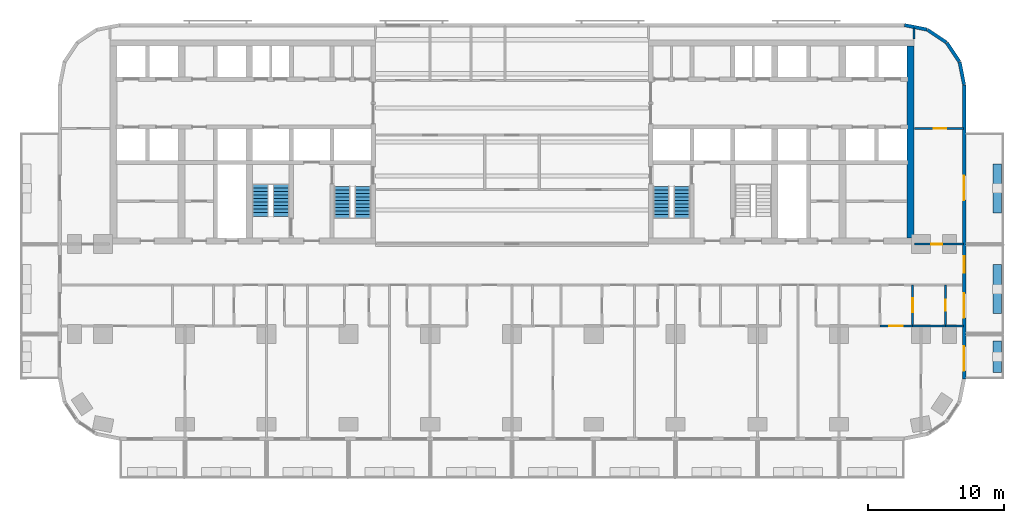
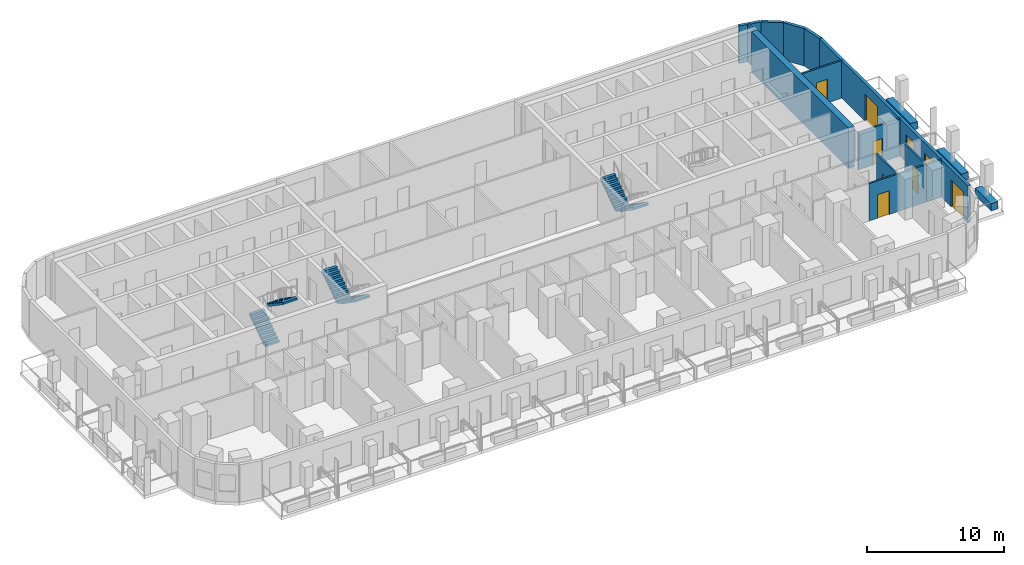
# One storey, part 9 of 15: 17 walls, 8 doors, 6 stair flights, 1 window, 9 openings, 3 elements without a shape of their own.
"""IFC4 building model written with IfcOpenShell, lengths in metres."""

from ifc_helpers import new_model, si_unit, direction, frame, frame_2d, origin, place, context, subcontext, project, spatial, polyline, rectangle, outline, extrude, material, layer, layer_set, type_object, element, fill, aggregate, save


model = new_model("IFC4")

# Units and contexts
model_context = context("Model", 3, precision=1e-05, world=origin(), true_north=direction((0.0, 1.0)))
body_context = subcontext(model_context, "Body", "Model", "MODEL_VIEW")
ifc_project = project(units=[si_unit("LENGTHUNIT", "METRE"), si_unit("AREAUNIT", "SQUARE_METRE"), si_unit("VOLUMEUNIT", "CUBIC_METRE"), si_unit("PLANEANGLEUNIT", "RADIAN"), si_unit("MASSUNIT", "GRAM", prefix="KILO")], contexts=[model_context])

# Site, building, storey
site_placement = place(None, origin())
site = spatial("IfcSite", under=ifc_project, at=site_placement, CompositionType="ELEMENT")
building_placement = place(site_placement, origin())
building = spatial("IfcBuilding", under=site, at=building_placement, Name="Torana Hotel and Residences", CompositionType="ELEMENT")
storey_placement = place(building_placement, frame((0.0, 0.0, 70.800048828125)))
storey = spatial("IfcBuildingStorey", under=building, at=storey_placement, Name="L17", CompositionType="ELEMENT", Elevation=70.800048828125)

# Walls
ifc_material_1 = material(Name="Concrete C80/95", Category="concrete")
ifc_layer_1 = layer(ifc_material_1, 0.5)
ifc_layer_set_1 = layer_set([ifc_layer_1], Name="CORE WALL 500 C80/95")
wall_type_1 = type_object("IfcWallType", Name="CORE WALL 500 C80/95", PredefinedType="SHEAR", material=ifc_layer_set_1)
wall_1_placement = place(storey_placement, frame((29.25, -14.550048828125, 0.0), z_axis=(0.0, 0.0, 1.0), x_axis=(0.0, 1.0, 0.0)))
element("IfcWall", 1, at=wall_1_placement, inside=storey, type_object=wall_type_1, Name="Core wall E outer", PredefinedType="SHEAR", context=body_context, shape_type="SweptSolid", body=[
    extrude(rectangle(XDim=14.10009765625, YDim=0.5, at=frame_2d((7.050048828125, 0.0))), origin(), (0.0, 0.0, 1.0), 3.599853515625),
])
ifc_material_2 = material(Name="Black aluminium composite panel", Category="aluminium")
ifc_layer_2 = layer(ifc_material_2, 0.00390625, Name="Cladding", Category="cladding")
ifc_material_3 = material(Name="Ventilated air cavity")
ifc_layer_3 = layer(ifc_material_3, 0.0400390625, Name="Ventilated cavity", Category="cavity")
ifc_material_4 = material(Name="Mineral wool insulation")
ifc_layer_4 = layer(ifc_material_4, 0.090087890625, Name="Insulation", Category="insulation")
ifc_material_5 = material(Name="Steel S280GD", Category="steel")
ifc_layer_5 = layer(ifc_material_5, 0.092041015625, Name="Steel stud frame", Category="structure")
ifc_material_6 = material(Name="Fire rated plasterboard")
ifc_layer_6 = layer(ifc_material_6, 0.011962890625, Name="Inner board", Category="finish")
ifc_layer_7 = layer(ifc_material_6, 0.011962890625, Name="Second board", Category="finish")
ifc_layer_set_2 = layer_set([ifc_layer_2, ifc_layer_3, ifc_layer_4, ifc_layer_5, ifc_layer_6, ifc_layer_7], Name="EW1 EXTERNAL WALL BLACK METAL CLAD 250")
wall_type_2 = type_object("IfcWallType", Name="EW1 EXTERNAL WALL BLACK METAL CLAD 250", PredefinedType="SOLIDWALL", material=ifc_layer_set_2)
wall_2_placement = place(storey_placement, frame((33.172607421875, -3.30029296875, 0.0), z_axis=(0.0, 0.0, 1.0), x_axis=(-0.19513878023, 0.980775640221, 0.0)))
element("IfcWall", 2, at=wall_2_placement, inside=storey, type_object=wall_type_2, Name="External wall L17 e0.0", PredefinedType="SOLIDWALL", context=body_context, shape_type="SweptSolid", body=[
    extrude(rectangle(XDim=1.681396484375, YDim=0.25, at=frame_2d((0.8408203125, 0.0))), origin(), (0.0, 0.0, 1.0), 3.320068359375),
])
for number, where, z_axis, x_axis, name in (
    (3, (32.825927734375, -1.60595703125, 0.0), (0.0, 0.0, 1.0), (-0.55555029066, 0.831482937015, 0.0), "External wall L17 e0.1"),
    (4, (31.87109375, -0.1943359375, 0.0), (0.0, 0.0, 1.0), (-0.831482937015, 0.55555029066, 0.0), "External wall L17 e0.2"),
):
    element("IfcWall", number, at=place(storey_placement, frame(where, z_axis=z_axis, x_axis=x_axis)), inside=storey, type_object=wall_type_2, Name=name, PredefinedType="SOLIDWALL", context=body_context, shape_type="SweptSolid", body=[
        extrude(rectangle(XDim=1.65625, YDim=0.25, at=frame_2d((0.828125, 0.0))), origin(), (0.0, 0.0, 1.0), 3.320068359375),
    ])
wall_3_placement = place(storey_placement, frame((30.448974609375, 0.74462890625, 0.0), z_axis=(0.0, 0.0, 1.0), x_axis=(-0.980803419081, 0.194999110559, 0.0)))
element("IfcWall", 5, at=wall_3_placement, inside=storey, type_object=wall_type_2, Name="External wall L17 e0.3", PredefinedType="SOLIDWALL", context=body_context, shape_type="SweptSolid", body=[
    extrude(rectangle(XDim=1.681396484375, YDim=0.25, at=frame_2d((0.8408203125, 0.0))), origin(), (0.0, 0.0, 1.0), 3.320068359375),
])

# Wall, openings, doors, window
wall_4_placement = place(storey_placement, frame((33.175048828125, -24.87548828125, 0.0), z_axis=(0.0, 0.0, 1.0), x_axis=(0.0, 1.0, 0.0)))
wall_4 = element("IfcWall", 6, at=wall_4_placement, inside=storey, type_object=wall_type_2, Name="External wall L17 e0.19", PredefinedType="SOLIDWALL", context=body_context, shape_type="SweptSolid", body=[
    extrude(rectangle(XDim=21.55078125, YDim=0.25, at=frame_2d((10.775390625, 0.0))), origin(), (0.0, 0.0, 1.0), 3.320068359375),
])
opening_1_placement = place(wall_4_placement, frame((0.575439453125, 0.0, 0.0)))
opening_1 = element("IfcOpeningElement", 7, at=opening_1_placement, cuts=wall_4, Name="Opening L17-E11", PredefinedType="OPENING", context=body_context, shape_type="SweptSolid", body=[
    extrude(rectangle(XDim=1.800048828125, YDim=2.39990234375, at=frame_2d((0.89990234375, 1.199951171875))), frame((0.0, 0.135009765625, 0.0), z_axis=(0.0, -1.0, 0.0), x_axis=(1.0, 0.0, 0.0)), (0.0, 0.0, 1.0), 0.27001953125),
])
opening_2_placement = place(wall_4_placement, frame((4.475341796875, 0.0, 0.0)))
opening_2 = element("IfcOpeningElement", 8, at=opening_2_placement, cuts=wall_4, Name="Opening L17-E12", PredefinedType="OPENING", context=body_context, shape_type="SweptSolid", body=[
    extrude(rectangle(XDim=1.800048828125, YDim=2.39990234375, at=frame_2d((0.89990234375, 1.199951171875))), frame((0.0, 0.135009765625, 0.0), z_axis=(0.0, -1.0, 0.0), x_axis=(1.0, 0.0, 0.0)), (0.0, 0.0, 1.0), 0.27001953125),
])
opening_3_placement = place(wall_4_placement, frame((7.775390625, 0.0, 0.300048828125)))
opening_3 = element("IfcOpeningElement", 9, at=opening_3_placement, cuts=wall_4, Name="Opening W7", PredefinedType="OPENING", context=body_context, shape_type="SweptSolid", body=[
    extrude(rectangle(XDim=1.199951171875, YDim=2.10009765625, at=frame_2d((0.60009765625, 1.050048828125))), frame((0.0, 0.135009765625, 0.0), z_axis=(0.0, -1.0, 0.0), x_axis=(1.0, 0.0, 0.0)), (0.0, 0.0, 1.0), 0.27001953125),
])
opening_4_placement = place(wall_4_placement, frame((13.100341796875, 0.0, 0.0)))
opening_4 = element("IfcOpeningElement", 10, at=opening_4_placement, cuts=wall_4, Name="Opening L17-E13", PredefinedType="OPENING", context=body_context, shape_type="SweptSolid", body=[
    extrude(rectangle(XDim=1.800048828125, YDim=2.39990234375, at=frame_2d((0.89990234375, 1.199951171875))), frame((0.0, 0.135009765625, 0.0), z_axis=(0.0, -1.0, 0.0), x_axis=(1.0, 0.0, 0.0)), (0.0, 0.0, 1.0), 0.27001953125),
])
ifc_material_7 = material(Name="Dark glass in black aluminium frame", Category="aluminium")
door_type_1 = type_object("IfcDoorType", Name="DB1 BALCONY DOOR 1800x2400", OperationType="DOUBLE_DOOR_SINGLE_SWING", PredefinedType="DOOR", material=ifc_material_7)
door_1_placement = place(opening_1_placement, origin())
door_1 = element("IfcDoor", 11, at=door_1_placement, inside=storey, type_object=door_type_1, Name="Balcony door L17", OperationType="DOUBLE_DOOR_SINGLE_SWING", OverallHeight=2.39990234375, OverallWidth=1.800048828125, PredefinedType="DOOR", context=body_context, shape_type="SweptSolid", body=[
    extrude(rectangle(XDim=1.800048828125, YDim=2.39990234375, at=frame_2d((0.89990234375, 1.199951171875))), frame((0.0, 0.02490234375, 0.0), z_axis=(0.0, -1.0, 0.0), x_axis=(1.0, 0.0, 0.0)), (0.0, 0.0, 1.0), 0.050048828125),
])
fill(opening_1, door_1)
door_2_placement = place(opening_2_placement, origin())
door_2 = element("IfcDoor", 12, at=door_2_placement, inside=storey, type_object=door_type_1, Name="Balcony door L17", OperationType="DOUBLE_DOOR_SINGLE_SWING", OverallHeight=2.39990234375, OverallWidth=1.800048828125, PredefinedType="DOOR", context=body_context, shape_type="SweptSolid", body=[
    extrude(rectangle(XDim=1.800048828125, YDim=2.39990234375, at=frame_2d((0.89990234375, 1.199951171875))), frame((0.0, 0.02490234375, 0.0), z_axis=(0.0, -1.0, 0.0), x_axis=(1.0, 0.0, 0.0)), (0.0, 0.0, 1.0), 0.050048828125),
])
fill(opening_2, door_2)
door_3_placement = place(opening_4_placement, origin())
door_3 = element("IfcDoor", 13, at=door_3_placement, inside=storey, type_object=door_type_1, Name="Balcony door L17", OperationType="DOUBLE_DOOR_SINGLE_SWING", OverallHeight=2.39990234375, OverallWidth=1.800048828125, PredefinedType="DOOR", context=body_context, shape_type="SweptSolid", body=[
    extrude(rectangle(XDim=1.800048828125, YDim=2.39990234375, at=frame_2d((0.89990234375, 1.199951171875))), frame((0.0, 0.02490234375, 0.0), z_axis=(0.0, -1.0, 0.0), x_axis=(1.0, 0.0, 0.0)), (0.0, 0.0, 1.0), 0.050048828125),
])
fill(opening_4, door_3)
ifc_material_8 = material(Name="Dark glass in black aluminium frame", Category="aluminium")
window_type = type_object("IfcWindowType", Name="W7 HOTEL CORRIDOR WINDOW 1200x2100", PartitioningType="SINGLE_PANEL", PredefinedType="WINDOW", material=ifc_material_8)
window_placement = place(opening_3_placement, origin())
window = element("IfcWindow", 14, at=window_placement, inside=storey, type_object=window_type, Name="Window L17", OverallHeight=2.10009765625, OverallWidth=1.199951171875, PartitioningType="SINGLE_PANEL", PredefinedType="WINDOW", context=body_context, shape_type="SweptSolid", body=[
    extrude(rectangle(XDim=1.199951171875, YDim=2.10009765625, at=frame_2d((0.60009765625, 1.050048828125))), frame((0.0, 0.030029296875, 0.0), z_axis=(0.0, -1.0, 0.0), x_axis=(1.0, 0.0, 0.0)), (0.0, 0.0, 1.0), 0.06005859375),
])
fill(opening_3, window)

# Wall, opening, door
ifc_material_9 = material(Name="Gypsum plaster")
ifc_layer_8 = layer(ifc_material_9, 0.014892578125, Name="Plaster", Category="finish")
ifc_material_10 = material(Name="Concrete blockwork", Category="masonry")
ifc_layer_9 = layer(ifc_material_10, 0.1201171875, Name="Blockwork", Category="structure")
ifc_layer_10 = layer(ifc_material_9, 0.014892578125, Name="Plaster", Category="finish")
ifc_layer_set_3 = layer_set([ifc_layer_8, ifc_layer_9, ifc_layer_10], Name="FIRE PARTITION 150 BLOCKWORK")
wall_type_3 = type_object("IfcWallType", Name="FIRE PARTITION 150 BLOCKWORK", PredefinedType="PARTITIONING", material=ifc_layer_set_3)
wall_5_placement = place(storey_placement, frame((29.39990234375, -21.0, 0.0), z_axis=(0.0, 0.0, 1.0), x_axis=(0.0, 1.0, 0.0)))
wall_5 = element("IfcWall", 15, at=wall_5_placement, inside=storey, type_object=wall_type_3, Name="Partition L17", PredefinedType="PARTITIONING", context=body_context, shape_type="SweptSolid", body=[
    extrude(rectangle(XDim=3.0, YDim=0.14990234375, at=frame_2d((1.5, 0.0))), origin(), (0.0, 0.0, 1.0), 3.320068359375),
])
opening_5_placement = place(wall_5_placement, frame((1.02001953125, 0.0, 0.0)))
opening_5 = element("IfcOpeningElement", 16, at=opening_5_placement, cuts=wall_5, Name="Opening L17-82", PredefinedType="OPENING", context=body_context, shape_type="SweptSolid", body=[
    extrude(rectangle(XDim=1.0, YDim=2.10009765625, at=frame_2d((0.5, 1.050048828125))), frame((0.0, 0.0849609375, 0.0), z_axis=(0.0, -1.0, 0.0), x_axis=(1.0, 0.0, 0.0)), (0.0, 0.0, 1.0), 0.169921875),
])
ifc_material_11 = material(Name="Steel S235", Category="steel")
door_type_2 = type_object("IfcDoorType", Name="ENTRY FIRE DOOR D6 1000x2100", OperationType="SINGLE_SWING_LEFT", PredefinedType="DOOR", material=ifc_material_11)
door_4_placement = place(opening_5_placement, frame((0.5, 0.0, 0.0), z_axis=(0.0, 0.0, 1.0), x_axis=(-1.0, 0.0, 0.0)))
door_4 = element("IfcDoor", 17, at=door_4_placement, inside=storey, type_object=door_type_2, Name="Door L17", OperationType="SINGLE_SWING_LEFT", OverallHeight=2.10009765625, OverallWidth=1.0, PredefinedType="DOOR", context=body_context, shape_type="SweptSolid", body=[
    extrude(rectangle(XDim=1.0, YDim=2.10009765625, at=frame_2d((0.0, 1.050048828125))), frame((0.0, -0.02490234375, 0.0), z_axis=(0.0, 1.0, 0.0), x_axis=(-1.0, 0.0, 0.0)), (0.0, 0.0, 1.0), 0.050048828125),
])
fill(opening_5, door_4)

wall_6_placement = place(storey_placement, frame((27.0, -21.0, 0.0), z_axis=(0.0, 0.0, 1.0), x_axis=(1.0, 0.0, 0.0)))
wall_6 = element("IfcWall", 18, at=wall_6_placement, inside=storey, type_object=wall_type_3, Name="Partition L17", PredefinedType="PARTITIONING", context=body_context, shape_type="SweptSolid", body=[
    extrude(rectangle(XDim=2.39990234375, YDim=0.14990234375, at=frame_2d((1.199951171875, 0.0))), origin(), (0.0, 0.0, 1.0), 3.320068359375),
])
opening_6_placement = place(wall_6_placement, frame((0.679931640625, 0.0, 0.0)))
opening_6 = element("IfcOpeningElement", 19, at=opening_6_placement, cuts=wall_6, Name="Opening L17-83", PredefinedType="OPENING", context=body_context, shape_type="SweptSolid", body=[
    extrude(rectangle(XDim=1.0, YDim=2.10009765625, at=frame_2d((0.5, 1.050048828125))), frame((0.0, 0.0849609375, 0.0), z_axis=(0.0, -1.0, 0.0), x_axis=(1.0, 0.0, 0.0)), (0.0, 0.0, 1.0), 0.169921875),
])
door_5_placement = place(opening_6_placement, frame((0.5, 0.0, 0.0), z_axis=(0.0, 0.0, 1.0), x_axis=(-1.0, 0.0, 0.0)))
door_5 = element("IfcDoor", 20, at=door_5_placement, inside=storey, type_object=door_type_2, Name="Door L17", OperationType="SINGLE_SWING_RIGHT", OverallHeight=2.10009765625, OverallWidth=1.0, PredefinedType="DOOR", context=body_context, shape_type="SweptSolid", body=[
    extrude(rectangle(XDim=1.0, YDim=2.10009765625, at=frame_2d((0.0, 1.050048828125))), frame((0.0, -0.02490234375, 0.0), z_axis=(0.0, 1.0, 0.0), x_axis=(-1.0, 0.0, 0.0)), (0.0, 0.0, 1.0), 0.050048828125),
])
fill(opening_6, door_5)

wall_7_placement = place(storey_placement, frame((29.550048828125, -15.0, 0.0), z_axis=(0.0, 0.0, 1.0), x_axis=(1.0, 0.0, 0.0)))
wall_7 = element("IfcWall", 21, at=wall_7_placement, inside=storey, type_object=wall_type_3, Name="Partition L17", PredefinedType="PARTITIONING", context=body_context, shape_type="SweptSolid", body=[
    extrude(rectangle(XDim=3.570068359375, YDim=0.14990234375, at=frame_2d((1.78515625, 0.0))), origin(), (0.0, 0.0, 1.0), 3.320068359375),
])
opening_7_placement = place(wall_7_placement, frame((1.205078125, 0.0, 0.0)))
opening_7 = element("IfcOpeningElement", 22, at=opening_7_placement, cuts=wall_7, Name="Opening L17-52", PredefinedType="OPENING", context=body_context, shape_type="SweptSolid", body=[
    extrude(rectangle(XDim=0.800048828125, YDim=2.10009765625, at=frame_2d((0.39990234375, 1.050048828125))), frame((0.0, 0.0849609375, 0.0), z_axis=(0.0, -1.0, 0.0), x_axis=(1.0, 0.0, 0.0)), (0.0, 0.0, 1.0), 0.169921875),
])
ifc_material_12 = material(Name="Steel S235", Category="steel")
door_type_3 = type_object("IfcDoorType", Name="STORE FIRE DOOR D16 800x2100", OperationType="SINGLE_SWING_LEFT", PredefinedType="DOOR", material=ifc_material_12)
door_6_placement = place(opening_7_placement, origin())
door_6 = element("IfcDoor", 23, at=door_6_placement, inside=storey, type_object=door_type_3, Name="Door L17", OperationType="SINGLE_SWING_RIGHT", OverallHeight=2.10009765625, OverallWidth=0.800048828125, PredefinedType="DOOR", context=body_context, shape_type="SweptSolid", body=[
    extrude(rectangle(XDim=0.800048828125, YDim=2.10009765625, at=frame_2d((0.39990234375, 1.050048828125))), frame((0.0, 0.02490234375, 0.0), z_axis=(0.0, -1.0, 0.0), x_axis=(1.0, 0.0, 0.0)), (0.0, 0.0, 1.0), 0.050048828125),
])
fill(opening_7, door_6)

# Walls
ifc_material_13 = material(Name="Gypsum plasterboard")
ifc_layer_11 = layer(ifc_material_13, 0.012451171875, Name="Plasterboard", Category="finish")
ifc_layer_12 = layer(ifc_material_13, 0.012451171875, Name="Plasterboard", Category="finish")
ifc_layer_13 = layer(ifc_material_5, 0.10009765625, Name="Steel studs with mineral wool", Category="insulation")
ifc_layer_14 = layer(ifc_material_13, 0.012451171875, Name="Plasterboard", Category="finish")
ifc_layer_15 = layer(ifc_material_13, 0.012451171875, Name="Plasterboard", Category="finish")
ifc_layer_set_4 = layer_set([ifc_layer_11, ifc_layer_12, ifc_layer_13, ifc_layer_14, ifc_layer_15], Name="PARTITION 150 PLASTERBOARD")
wall_type_4 = type_object("IfcWallType", Name="PARTITION 150 PLASTERBOARD", PredefinedType="PARTITIONING", material=ifc_layer_set_4)
wall_8_placement = place(storey_placement, frame((29.5, 0.050048828125, 0.0), z_axis=(0.0, 0.0, 1.0), x_axis=(0.0, 1.0, 0.0)))
element("IfcWall", 24, at=wall_8_placement, inside=storey, type_object=wall_type_4, Name="Partition L17", PredefinedType="PARTITIONING", context=body_context, shape_type="SweptSolid", body=[
    extrude(rectangle(XDim=0.8271484375, YDim=0.14990234375, at=frame_2d((0.41357421875, 0.0))), origin(), (0.0, 0.0, 1.0), 3.320068359375),
])
wall_9_placement = place(storey_placement, frame((29.39990234375, -21.0, 0.0), z_axis=(0.0, 0.0, 1.0), x_axis=(1.0, 0.0, 0.0)))
element("IfcWall", 25, at=wall_9_placement, inside=storey, type_object=wall_type_4, Name="Partition L17", PredefinedType="PARTITIONING", context=body_context, shape_type="SweptSolid", body=[
    extrude(rectangle(XDim=2.400146484375, YDim=0.14990234375, at=frame_2d((1.2001953125, 0.0))), origin(), (0.0, 0.0, 1.0), 3.320068359375),
])

# Wall, opening, door
wall_10_placement = place(storey_placement, frame((29.550048828125, -6.5, 0.0), z_axis=(0.0, 0.0, 1.0), x_axis=(1.0, 0.0, 0.0)))
wall_10 = element("IfcWall", 26, at=wall_10_placement, inside=storey, type_object=wall_type_4, Name="Partition L17", PredefinedType="PARTITIONING", context=body_context, shape_type="SweptSolid", body=[
    extrude(rectangle(XDim=3.570068359375, YDim=0.14990234375, at=frame_2d((1.78515625, 0.0))), origin(), (0.0, 0.0, 1.0), 3.320068359375),
])
opening_8_placement = place(wall_10_placement, frame((1.39990234375, 0.0, 0.0)))
opening_8 = element("IfcOpeningElement", 27, at=opening_8_placement, cuts=wall_10, Name="Opening L17-87", PredefinedType="OPENING", context=body_context, shape_type="SweptSolid", body=[
    extrude(rectangle(XDim=0.89990234375, YDim=2.10009765625, at=frame_2d((0.449951171875, 1.050048828125))), frame((0.0, 0.0849609375, 0.0), z_axis=(0.0, -1.0, 0.0), x_axis=(1.0, 0.0, 0.0)), (0.0, 0.0, 1.0), 0.169921875),
])
ifc_material_14 = material(Name="Timber door, oiled ash", Category="wood")
door_type_4 = type_object("IfcDoorType", Name="ROOM DOOR D7 900x2100", OperationType="SINGLE_SWING_LEFT", PredefinedType="DOOR", material=ifc_material_14)
door_7_placement = place(opening_8_placement, origin())
door_7 = element("IfcDoor", 28, at=door_7_placement, inside=storey, type_object=door_type_4, Name="Door L17", OperationType="SINGLE_SWING_LEFT", OverallHeight=2.10009765625, OverallWidth=0.89990234375, PredefinedType="DOOR", context=body_context, shape_type="SweptSolid", body=[
    extrude(rectangle(XDim=0.89990234375, YDim=2.10009765625, at=frame_2d((0.449951171875, 1.050048828125))), frame((0.0, 0.02490234375, 0.0), z_axis=(0.0, -1.0, 0.0), x_axis=(1.0, 0.0, 0.0)), (0.0, 0.0, 1.0), 0.050048828125),
])
fill(opening_8, door_7)

# Walls
ifc_material_15 = material(Name="Concrete C40/50 precast", Category="concrete")
ifc_layer_16 = layer(ifc_material_15, 0.10009765625, Name="Planter shell", Category="structure")
ifc_material_16 = material(Name="Root resistant membrane")
ifc_layer_17 = layer(ifc_material_16, 0.00390625, Name="Waterproofing membrane", Category="membrane")
ifc_material_17 = material(Name="Drainage board with filter fleece")
ifc_layer_18 = layer(ifc_material_17, 0.02001953125, Name="Drainage board", Category="drainage")
ifc_material_18 = material(Name="Growing medium")
ifc_layer_19 = layer(ifc_material_18, 0.47607421875, Name="Planting substrate", Category="soil")
ifc_layer_set_5 = layer_set([ifc_layer_16, ifc_layer_17, ifc_layer_18, ifc_layer_19], Name="PL1 BALCONY PLANTER 600")
wall_type_5 = type_object("IfcWallType", Name="PL1 BALCONY PLANTER 600", PredefinedType="USERDEFINED", material=ifc_layer_set_5)
wall_11_placement = place(storey_placement, frame((35.60009765625, -22.10009765625, 0.0), z_axis=(0.0, 0.0, 1.0), x_axis=(0.0, -1.0, 0.0)))
element("IfcWall", 29, at=wall_11_placement, inside=storey, type_object=wall_type_5, Name="Planter 14", ObjectType="PLANTER", PredefinedType="USERDEFINED", context=body_context, shape_type="SweptSolid", body=[
    extrude(rectangle(XDim=2.2998046875, YDim=0.60009765625, at=frame_2d((1.14990234375, 0.0))), origin(), (0.0, 0.0, 1.0), 0.64990234375),
])
wall_12_placement = place(storey_placement, frame((35.60009765625, -16.5, 0.0), z_axis=(0.0, 0.0, 1.0), x_axis=(0.0, -1.0, 0.0)))
element("IfcWall", 30, at=wall_12_placement, inside=storey, type_object=wall_type_5, Name="Planter 15", ObjectType="PLANTER", PredefinedType="USERDEFINED", context=body_context, shape_type="SweptSolid", body=[
    extrude(rectangle(XDim=3.60009765625, YDim=0.60009765625, at=frame_2d((1.800048828125, 0.0))), origin(), (0.0, 0.0, 1.0), 0.64990234375),
])
wall_13_placement = place(storey_placement, frame((35.60009765625, -9.10009765625, 0.0), z_axis=(0.0, 0.0, 1.0), x_axis=(0.0, -1.0, 0.0)))
element("IfcWall", 31, at=wall_13_placement, inside=storey, type_object=wall_type_5, Name="Planter 16", ObjectType="PLANTER", PredefinedType="USERDEFINED", context=body_context, shape_type="SweptSolid", body=[
    extrude(rectangle(XDim=3.599853515625, YDim=0.60009765625, at=frame_2d((1.7998046875, 0.0))), origin(), (0.0, 0.0, 1.0), 0.64990234375),
])

# Wall, opening, door
ifc_material_19 = material(Name="Ceramic tile on adhesive")
ifc_layer_20 = layer(ifc_material_19, 0.010009765625, Name="Wall tile", Category="finish")
ifc_material_20 = material(Name="Cement render")
ifc_layer_21 = layer(ifc_material_20, 0.010009765625, Name="Render", Category="finish")
ifc_layer_22 = layer(ifc_material_10, 0.110107421875, Name="Blockwork", Category="structure")
ifc_layer_23 = layer(ifc_material_20, 0.010009765625, Name="Render", Category="finish")
ifc_layer_24 = layer(ifc_material_19, 0.010009765625, Name="Wall tile", Category="finish")
ifc_layer_set_6 = layer_set([ifc_layer_20, ifc_layer_21, ifc_layer_22, ifc_layer_23, ifc_layer_24], Name="WC PARTITION 150")
wall_type_6 = type_object("IfcWallType", Name="WC PARTITION 150", PredefinedType="PLUMBINGWALL", material=ifc_layer_set_6)
wall_14_placement = place(storey_placement, frame((31.800048828125, -21.0, 0.0), z_axis=(0.0, 0.0, 1.0), x_axis=(0.0, 1.0, 0.0)))
wall_14 = element("IfcWall", 32, at=wall_14_placement, inside=storey, type_object=wall_type_6, Name="Partition L17", PredefinedType="PLUMBINGWALL", context=body_context, shape_type="SweptSolid", body=[
    extrude(rectangle(XDim=3.0, YDim=0.14990234375, at=frame_2d((1.5, 0.0))), origin(), (0.0, 0.0, 1.0), 3.320068359375),
])
opening_9_placement = place(wall_14_placement, frame((1.1201171875, 0.0, 0.0)))
opening_9 = element("IfcOpeningElement", 33, at=opening_9_placement, cuts=wall_14, Name="Opening L17-84", PredefinedType="OPENING", context=body_context, shape_type="SweptSolid", body=[
    extrude(rectangle(XDim=0.800048828125, YDim=2.10009765625, at=frame_2d((0.39990234375, 1.050048828125))), frame((0.0, 0.0849609375, 0.0), z_axis=(0.0, -1.0, 0.0), x_axis=(1.0, 0.0, 0.0)), (0.0, 0.0, 1.0), 0.169921875),
])
ifc_material_21 = material(Name="Timber door, painted", Category="wood")
door_type_5 = type_object("IfcDoorType", Name="BATH DOOR D13 800x2100", OperationType="SINGLE_SWING_LEFT", PredefinedType="DOOR", material=ifc_material_21)
door_8_placement = place(opening_9_placement, origin())
door_8 = element("IfcDoor", 34, at=door_8_placement, inside=storey, type_object=door_type_5, Name="Door L17", OperationType="SINGLE_SWING_RIGHT", OverallHeight=2.10009765625, OverallWidth=0.800048828125, PredefinedType="DOOR", context=body_context, shape_type="SweptSolid", body=[
    extrude(rectangle(XDim=0.800048828125, YDim=2.10009765625, at=frame_2d((0.39990234375, 1.050048828125))), frame((0.0, 0.02490234375, 0.0), z_axis=(0.0, -1.0, 0.0), x_axis=(1.0, 0.0, 0.0)), (0.0, 0.0, 1.0), 0.050048828125),
])
fill(opening_9, door_8)

# Wall
wall_15_placement = place(storey_placement, frame((31.800048828125, -21.0, 0.0), z_axis=(0.0, 0.0, 1.0), x_axis=(1.0, 0.0, 0.0)))
element("IfcWall", 35, at=wall_15_placement, inside=storey, type_object=wall_type_6, Name="Partition L17", PredefinedType="PLUMBINGWALL", context=body_context, shape_type="SweptSolid", body=[
    extrude(rectangle(XDim=1.320068359375, YDim=0.14990234375, at=frame_2d((0.66015625, 0.0))), origin(), (0.0, 0.0, 1.0), 3.320068359375),
])

# Stair, stair flights
ifc_material_22 = material(Name="Concrete C40/50 precast", Category="concrete")
stair_type_1 = type_object("IfcStairType", Name="STAIR ST1 HALF TURN 1200", PredefinedType="HALF_TURN_STAIR", material=ifc_material_22)
stair_1_placement = place(storey_placement, origin())
stair_1 = element("IfcStair", 36, at=stair_1_placement, inside=storey, type_object=stair_type_1, Name="Stair ST1 L17", PredefinedType="HALF_TURN_STAIR")
ifc_material_23 = material(Name="Concrete C40/50 precast", Category="concrete")
stair_flight_type = type_object("IfcStairFlightType", Name="STAIR FLIGHT 1200 PRECAST", PredefinedType="STRAIGHT", material=ifc_material_23)
stair_flight_1_placement = place(storey_placement, frame((-10.949951171875, -10.75, 0.0), z_axis=(0.0, 0.0, 1.0), x_axis=(0.0, -1.0, 0.0)))
stair_flight_1 = element("IfcStairFlight", 37, at=stair_flight_1_placement, type_object=stair_flight_type, Name="ST1 flight 1", NumberOfRisers=10, NumberOfTreads=9, PredefinedType="STRAIGHT", RiserHeight=0.18, TreadLength=0.26, context=body_context, shape_type="SweptSolid", body=[
    extrude(outline(polyline([(0.0, 0.0), (0.0, 0.179931640625), (0.260009765625, 0.179931640625), (0.260009765625, 0.360107421875), (0.52001953125, 0.360107421875), (0.52001953125, 0.5400390625), (0.780029296875, 0.5400390625), (0.780029296875, 0.719970703125), (1.0400390625, 0.719970703125), (1.0400390625, 0.89990234375), (1.300048828125, 0.89990234375), (1.300048828125, 1.080078125), (1.56005859375, 1.080078125), (1.56005859375, 1.260009765625), (1.820068359375, 1.260009765625), (1.820068359375, 1.43994140625), (2.080078125, 1.43994140625), (2.080078125, 1.6201171875), (2.340087890625, 1.6201171875), (2.340087890625, 1.800048828125), (2.340087890625, 1.437744140625), (0.263427734375, 0.0), (0.0, 0.0)])), frame((0.0, 0.60009765625, 0.0), z_axis=(0.0, -1.0, 0.0), x_axis=(1.0, 0.0, 0.0)), (0.0, 0.0, 1.0), 1.199951171875),
])
stair_flight_2_placement = place(storey_placement, frame((-12.449951171875, -13.090087890625, 1.800048828125), z_axis=(0.0, 0.0, 1.0), x_axis=(0.0, 1.0, 0.0)))
stair_flight_2 = element("IfcStairFlight", 38, at=stair_flight_2_placement, type_object=stair_flight_type, Name="ST1 flight 2", NumberOfRisers=10, NumberOfTreads=9, PredefinedType="STRAIGHT", RiserHeight=0.18, TreadLength=0.26, context=body_context, shape_type="SweptSolid", body=[
    extrude(outline(polyline([(0.0, 0.0), (0.0, 0.179931640625), (0.260009765625, 0.179931640625), (0.260009765625, 0.360107421875), (0.52001953125, 0.360107421875), (0.52001953125, 0.5400390625), (0.780029296875, 0.5400390625), (0.780029296875, 0.719970703125), (1.0400390625, 0.719970703125), (1.0400390625, 0.89990234375), (1.300048828125, 0.89990234375), (1.300048828125, 1.080078125), (1.56005859375, 1.080078125), (1.56005859375, 1.260009765625), (1.820068359375, 1.260009765625), (1.820068359375, 1.43994140625), (2.080078125, 1.43994140625), (2.080078125, 1.6201171875), (2.340087890625, 1.6201171875), (2.340087890625, 1.800048828125), (2.340087890625, 1.437744140625), (0.263427734375, 0.0), (0.0, 0.0)])), frame((0.0, 0.60009765625, 0.0), z_axis=(0.0, -1.0, 0.0), x_axis=(1.0, 0.0, 0.0)), (0.0, 0.0, 1.0), 1.199951171875),
])
aggregate(stair_1, [stair_flight_1, stair_flight_2])

ifc_material_24 = material(Name="Concrete C40/50 precast", Category="concrete")
stair_type_2 = type_object("IfcStairType", Name="STAIR ST2 HALF TURN 1200", PredefinedType="HALF_TURN_STAIR", material=ifc_material_24)
stair_2_placement = place(storey_placement, origin())
stair_2 = element("IfcStair", 39, at=stair_2_placement, inside=storey, type_object=stair_type_2, Name="Stair ST2 L17", PredefinedType="HALF_TURN_STAIR")
stair_flight_3_placement = place(storey_placement, frame((-18.449951171875, -12.949951171875, 0.0), z_axis=(0.0, 0.0, 1.0), x_axis=(0.0, 1.0, 0.0)))
stair_flight_3 = element("IfcStairFlight", 40, at=stair_flight_3_placement, type_object=stair_flight_type, Name="ST2 flight 1", NumberOfRisers=10, NumberOfTreads=9, PredefinedType="STRAIGHT", RiserHeight=0.18, TreadLength=0.26, context=body_context, shape_type="SweptSolid", body=[
    extrude(outline(polyline([(0.0, 0.0), (0.0, 0.179931640625), (0.260009765625, 0.179931640625), (0.260009765625, 0.360107421875), (0.52001953125, 0.360107421875), (0.52001953125, 0.5400390625), (0.780029296875, 0.5400390625), (0.780029296875, 0.719970703125), (1.0400390625, 0.719970703125), (1.0400390625, 0.89990234375), (1.300048828125, 0.89990234375), (1.300048828125, 1.080078125), (1.56005859375, 1.080078125), (1.56005859375, 1.260009765625), (1.820068359375, 1.260009765625), (1.820068359375, 1.43994140625), (2.080078125, 1.43994140625), (2.080078125, 1.6201171875), (2.340087890625, 1.6201171875), (2.340087890625, 1.800048828125), (2.340087890625, 1.437744140625), (0.263427734375, 0.0), (0.0, 0.0)])), frame((0.0, 0.60009765625, 0.0), z_axis=(0.0, -1.0, 0.0), x_axis=(1.0, 0.0, 0.0)), (0.0, 0.0, 1.0), 1.199951171875),
])
stair_flight_4_placement = place(storey_placement, frame((-16.949951171875, -10.610107421875, 1.800048828125), z_axis=(0.0, 0.0, 1.0), x_axis=(0.0, -1.0, 0.0)))
stair_flight_4 = element("IfcStairFlight", 41, at=stair_flight_4_placement, type_object=stair_flight_type, Name="ST2 flight 2", NumberOfRisers=10, NumberOfTreads=9, PredefinedType="STRAIGHT", RiserHeight=0.18, TreadLength=0.26, context=body_context, shape_type="SweptSolid", body=[
    extrude(outline(polyline([(0.0, 0.0), (0.0, 0.179931640625), (0.260009765625, 0.179931640625), (0.260009765625, 0.360107421875), (0.52001953125, 0.360107421875), (0.52001953125, 0.5400390625), (0.780029296875, 0.5400390625), (0.780029296875, 0.719970703125), (1.0400390625, 0.719970703125), (1.0400390625, 0.89990234375), (1.300048828125, 0.89990234375), (1.300048828125, 1.080078125), (1.56005859375, 1.080078125), (1.56005859375, 1.260009765625), (1.820068359375, 1.260009765625), (1.820068359375, 1.43994140625), (2.080078125, 1.43994140625), (2.080078125, 1.6201171875), (2.340087890625, 1.6201171875), (2.340087890625, 1.800048828125), (2.340087890625, 1.437744140625), (0.263427734375, 0.0), (0.0, 0.0)])), frame((0.0, 0.60009765625, 0.0), z_axis=(0.0, -1.0, 0.0), x_axis=(1.0, 0.0, 0.0)), (0.0, 0.0, 1.0), 1.199951171875),
])
aggregate(stair_2, [stair_flight_3, stair_flight_4])

ifc_material_25 = material(Name="Concrete C40/50 precast", Category="concrete")
stair_type_3 = type_object("IfcStairType", Name="STAIR ST3 HALF TURN 1200", PredefinedType="HALF_TURN_STAIR", material=ifc_material_25)
stair_3_placement = place(storey_placement, origin())
stair_3 = element("IfcStair", 42, at=stair_3_placement, inside=storey, type_object=stair_type_3, Name="Stair ST3 L17", PredefinedType="HALF_TURN_STAIR")
stair_flight_5_placement = place(storey_placement, frame((12.449951171875, -10.75, 0.0), z_axis=(0.0, 0.0, 1.0), x_axis=(0.0, -1.0, 0.0)))
stair_flight_5 = element("IfcStairFlight", 43, at=stair_flight_5_placement, type_object=stair_flight_type, Name="ST3 flight 1", NumberOfRisers=10, NumberOfTreads=9, PredefinedType="STRAIGHT", RiserHeight=0.18, TreadLength=0.26, context=body_context, shape_type="SweptSolid", body=[
    extrude(outline(polyline([(0.0, 0.0), (0.0, 0.179931640625), (0.260009765625, 0.179931640625), (0.260009765625, 0.360107421875), (0.52001953125, 0.360107421875), (0.52001953125, 0.5400390625), (0.780029296875, 0.5400390625), (0.780029296875, 0.719970703125), (1.0400390625, 0.719970703125), (1.0400390625, 0.89990234375), (1.300048828125, 0.89990234375), (1.300048828125, 1.080078125), (1.56005859375, 1.080078125), (1.56005859375, 1.260009765625), (1.820068359375, 1.260009765625), (1.820068359375, 1.43994140625), (2.080078125, 1.43994140625), (2.080078125, 1.6201171875), (2.340087890625, 1.6201171875), (2.340087890625, 1.800048828125), (2.340087890625, 1.437744140625), (0.263427734375, 0.0), (0.0, 0.0)])), frame((0.0, 0.60009765625, 0.0), z_axis=(0.0, -1.0, 0.0), x_axis=(1.0, 0.0, 0.0)), (0.0, 0.0, 1.0), 1.199951171875),
])
stair_flight_6_placement = place(storey_placement, frame((10.949951171875, -13.090087890625, 1.800048828125), z_axis=(0.0, 0.0, 1.0), x_axis=(0.0, 1.0, 0.0)))
stair_flight_6 = element("IfcStairFlight", 44, at=stair_flight_6_placement, type_object=stair_flight_type, Name="ST3 flight 2", NumberOfRisers=10, NumberOfTreads=9, PredefinedType="STRAIGHT", RiserHeight=0.18, TreadLength=0.26, context=body_context, shape_type="SweptSolid", body=[
    extrude(outline(polyline([(0.0, 0.0), (0.0, 0.179931640625), (0.260009765625, 0.179931640625), (0.260009765625, 0.360107421875), (0.52001953125, 0.360107421875), (0.52001953125, 0.5400390625), (0.780029296875, 0.5400390625), (0.780029296875, 0.719970703125), (1.0400390625, 0.719970703125), (1.0400390625, 0.89990234375), (1.300048828125, 0.89990234375), (1.300048828125, 1.080078125), (1.56005859375, 1.080078125), (1.56005859375, 1.260009765625), (1.820068359375, 1.260009765625), (1.820068359375, 1.43994140625), (2.080078125, 1.43994140625), (2.080078125, 1.6201171875), (2.340087890625, 1.6201171875), (2.340087890625, 1.800048828125), (2.340087890625, 1.437744140625), (0.263427734375, 0.0), (0.0, 0.0)])), frame((0.0, 0.60009765625, 0.0), z_axis=(0.0, -1.0, 0.0), x_axis=(1.0, 0.0, 0.0)), (0.0, 0.0, 1.0), 1.199951171875),
])
aggregate(stair_3, [stair_flight_5, stair_flight_6])

save(model, "model.ifc")
